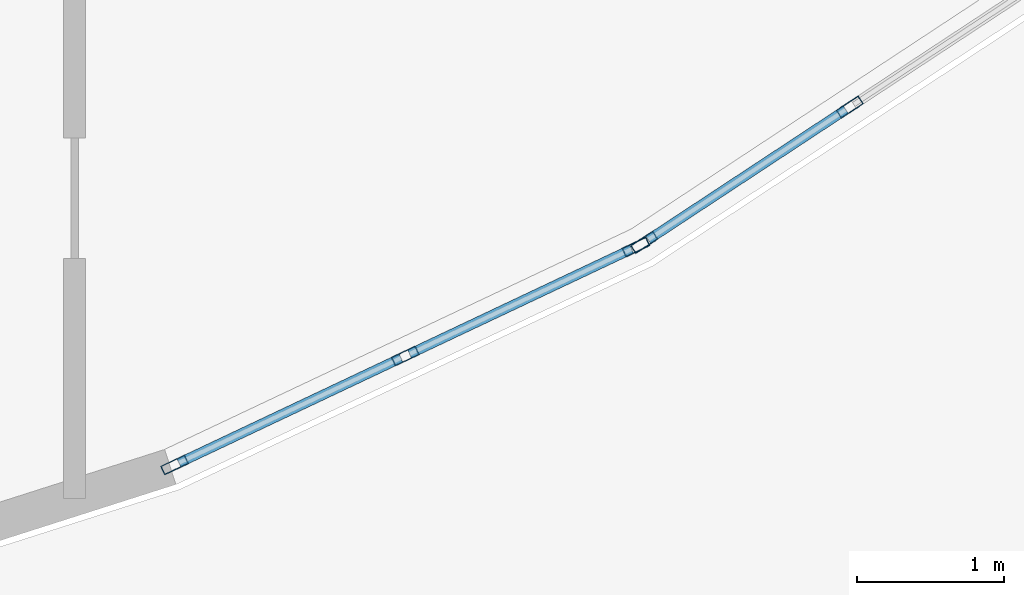
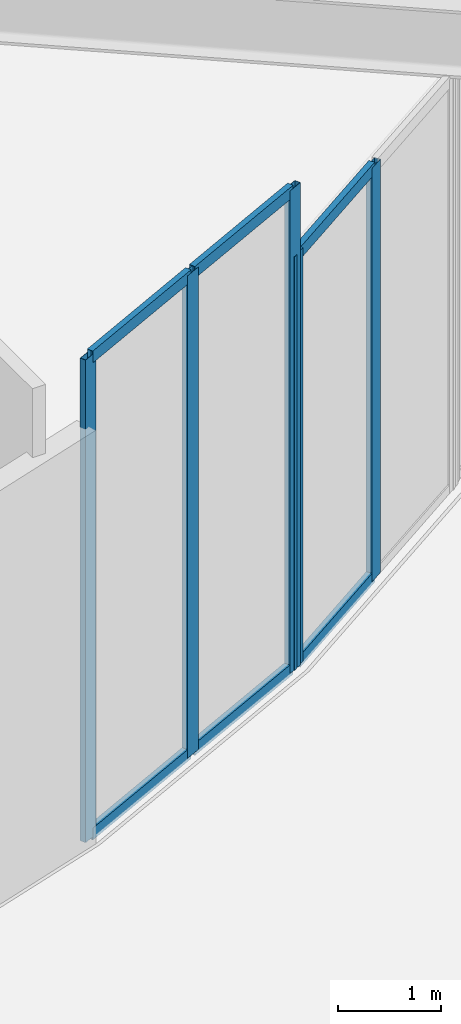
# One storey, part 12 of 46: 11 members, 2 elements without a shape of their own.
"""IFC4 building model written with IfcOpenShell, lengths in metres."""

from ifc_helpers import new_model, si_unit, direction, frame, origin, origin_2d, place, context, subcontext, project, spatial, hollow_rectangle, extrude, source, transform, mapped, material, layer, layer_set, material_profile, profile_set, type_object, element, aggregate, save


model = new_model("IFC4")

# Units and contexts
model_context = context("Model", 3, precision=1e-05, world=origin(), true_north=direction((0.0, 1.0)))
body_context = subcontext(model_context, "Body", "Model", "MODEL_VIEW")
ifc_project = project(units=[si_unit("LENGTHUNIT", "METRE"), si_unit("AREAUNIT", "SQUARE_METRE"), si_unit("VOLUMEUNIT", "CUBIC_METRE"), si_unit("PLANEANGLEUNIT", "RADIAN"), si_unit("MASSUNIT", "GRAM", prefix="KILO")], contexts=[model_context])

# Site, building, storey
site_placement = place(None, origin())
site = spatial("IfcSite", under=ifc_project, at=site_placement, CompositionType="ELEMENT")
building_placement = place(site_placement, origin())
building = spatial("IfcBuilding", under=site, at=building_placement, Name="Linh Dai School and Residence Tower", CompositionType="ELEMENT")
storey_placement = place(building_placement, origin())
storey = spatial("IfcBuildingStorey", under=building, at=storey_placement, Name="L00", CompositionType="ELEMENT", Elevation=0.0)

# Curtain wall, members
ifc_material_1 = material(Name="Aluminium Anodised Curtain Wall", Category="aluminium")
ifc_layer = layer(ifc_material_1, 0.179931640625)
ifc_layer_set = layer_set([ifc_layer], Name="Aluminium Anodised Curtain Wall")
curtain_wall_type = type_object("IfcCurtainWallType", Name="CW-SYS-1", PredefinedType="USERDEFINED", material=ifc_layer_set)
curtain_wall_1_placement = place(storey_placement, origin())
curtain_wall_1 = element("IfcCurtainWall", 1, at=curtain_wall_1_placement, inside=storey, type_object=curtain_wall_type, Name="L00 CW1 Curtain Wall 35", ObjectType="UNITISED CURTAIN WALL", PredefinedType="USERDEFINED")
ifc_material_2 = material(Name="Aluminium Alloy 6063-T6", Category="aluminium")
ifc_material_profile_1 = material_profile(ifc_material_2, hollow_rectangle(XDim=0.06494140625, YDim=0.179931640625, WallThickness=0.00390625, at=origin_2d()), Name="RHS 180x65x4")
ifc_profile_set_1 = profile_set([ifc_material_profile_1], Name="Aluminium Alloy 6063-T6")
member_type_1 = type_object("IfcMemberType", Name="CW-SYS-1-MUL", PredefinedType="MULLION", material=ifc_profile_set_1)
shared_shape_1 = source(origin(), body_context, "Body", "SweptSolid", [
    extrude(hollow_rectangle(XDim=0.06494140625, YDim=0.179931640625, WallThickness=0.00390625, at=origin_2d()), origin(), (0.0, 0.0, 1.0), 4.885009765625),
])
member_1_placement = place(storey_placement, frame((51.469970703125, 13.079833984375, 0.0), z_axis=(0.0, 0.0, 1.0), x_axis=(0.54987842375, -0.835244706116, 0.0)))
member_1 = element("IfcMember", 2, at=member_1_placement, type_object=member_type_1, Name="CW1 mullion 2", PredefinedType="MULLION", context=body_context, shape_type="MappedRepresentation", body=[
    mapped(shared_shape_1, transform((0.0, 0.0, 0.0), x_axis=(1.0, 0.0, 0.0), y_axis=(0.0, 1.0, 0.0), z_axis=(0.0, 0.0, 1.0), scale=1.0)),
])
member_2_placement = place(storey_placement, frame((50.072998046875, 12.16015625, 0.0), z_axis=(0.0, 0.0, 1.0), x_axis=(0.54987842375, -0.835244706116, 0.0)))
member_2 = element("IfcMember", 3, at=member_2_placement, type_object=member_type_1, Name="CW1 mullion 3", PredefinedType="MULLION", context=body_context, shape_type="MappedRepresentation", body=[
    mapped(shared_shape_1, transform((0.0, 0.0, 0.0), x_axis=(1.0, 0.0, 0.0), y_axis=(0.0, 1.0, 0.0), z_axis=(0.0, 0.0, 1.0), scale=1.0)),
])

curtain_wall_2_placement = place(storey_placement, origin())
curtain_wall_2 = element("IfcCurtainWall", 4, at=curtain_wall_2_placement, inside=storey, type_object=curtain_wall_type, Name="L00 CW1 Curtain Wall 34", ObjectType="UNITISED CURTAIN WALL", PredefinedType="USERDEFINED")
shared_shape_2 = source(origin(), body_context, "Body", "SweptSolid", [
    extrude(hollow_rectangle(XDim=0.06494140625, YDim=0.179931640625, WallThickness=0.00390625, at=origin_2d()), origin(), (0.0, 0.0, 1.0), 5.699951171875),
])
member_3_placement = place(storey_placement, frame((50.016357421875, 12.12841796875, 0.0), z_axis=(0.0, 0.0, 1.0), x_axis=(0.427107969356, -0.904200631781, 0.0)))
member_3 = element("IfcMember", 5, at=member_3_placement, type_object=member_type_1, Name="CW1 mullion 1", PredefinedType="MULLION", context=body_context, shape_type="MappedRepresentation", body=[
    mapped(shared_shape_2, transform((0.0, 0.0, 0.0), x_axis=(1.0, 0.0, 0.0), y_axis=(0.0, 1.0, 0.0), z_axis=(0.0, 0.0, 1.0), scale=1.0)),
])
member_4_placement = place(storey_placement, frame((48.447998046875, 11.387451171875, 0.0), z_axis=(0.0, 0.0, 1.0), x_axis=(0.427107969356, -0.904200631781, 0.0)))
member_4 = element("IfcMember", 6, at=member_4_placement, type_object=member_type_1, Name="CW1 mullion 2", PredefinedType="MULLION", context=body_context, shape_type="MappedRepresentation", body=[
    mapped(shared_shape_2, transform((0.0, 0.0, 0.0), x_axis=(1.0, 0.0, 0.0), y_axis=(0.0, 1.0, 0.0), z_axis=(0.0, 0.0, 1.0), scale=1.0)),
])
member_5_placement = place(storey_placement, frame((46.87939453125, 10.646728515625, 0.0), z_axis=(0.0, 0.0, 1.0), x_axis=(0.427107969356, -0.904200631781, 0.0)))
member_5 = element("IfcMember", 7, at=member_5_placement, type_object=member_type_1, Name="CW1 mullion 3", PredefinedType="MULLION", context=body_context, shape_type="MappedRepresentation", body=[
    mapped(shared_shape_2, transform((0.0, 0.0, 0.0), x_axis=(1.0, 0.0, 0.0), y_axis=(0.0, 1.0, 0.0), z_axis=(0.0, 0.0, 1.0), scale=1.0)),
])
ifc_material_profile_2 = material_profile(ifc_material_2, hollow_rectangle(XDim=0.06494140625, YDim=0.139892578125, WallThickness=0.00390625, at=origin_2d()), Name="RHS 140x65x4")
ifc_profile_set_2 = profile_set([ifc_material_profile_2], Name="Aluminium Alloy 6063-T6")
member_type_2 = type_object("IfcMemberType", Name="CW-SYS-1-TRN", PredefinedType="USERDEFINED", material=ifc_profile_set_2)
shared_shape_3 = source(origin(), body_context, "Body", "SweptSolid", [
    extrude(hollow_rectangle(XDim=0.06494140625, YDim=0.139892578125, WallThickness=0.00390625, at=origin_2d()), origin(), (0.0, 0.0, 1.0), 1.66943359375),
])
member_6_placement = place(storey_placement, frame((48.41845703125, 11.37353515625, 0.032470703125), z_axis=(-0.904178053543, -0.427155764904, 0.0), x_axis=(0.427155764904, -0.904178053543, 0.0)))
member_6 = element("IfcMember", 8, at=member_6_placement, type_object=member_type_2, Name="CW1 transom 2.1", ObjectType="TRANSOM", PredefinedType="USERDEFINED", context=body_context, shape_type="MappedRepresentation", body=[
    mapped(shared_shape_3, transform((0.0, 0.0, 0.0), x_axis=(1.0, 0.0, 0.0), y_axis=(0.0, 1.0, 0.0), z_axis=(0.0, 0.0, 1.0), scale=1.0)),
])
member_7_placement = place(storey_placement, frame((48.41845703125, 11.37353515625, 5.66748046875), z_axis=(-0.904178053543, -0.427155764904, 0.0), x_axis=(0.427155764904, -0.904178053543, 0.0)))
member_7 = element("IfcMember", 9, at=member_7_placement, type_object=member_type_2, Name="CW1 transom 2.2", ObjectType="TRANSOM", PredefinedType="USERDEFINED", context=body_context, shape_type="MappedRepresentation", body=[
    mapped(shared_shape_3, transform((0.0, 0.0, 0.0), x_axis=(1.0, 0.0, 0.0), y_axis=(0.0, 1.0, 0.0), z_axis=(0.0, 0.0, 1.0), scale=1.0)),
])
shared_shape_4 = source(origin(), body_context, "Body", "SweptSolid", [
    extrude(hollow_rectangle(XDim=0.06494140625, YDim=0.139892578125, WallThickness=0.00390625, at=origin_2d()), origin(), (0.0, 0.0, 1.0), 1.669677734375),
])
member_8_placement = place(storey_placement, frame((49.987060546875, 12.114501953125, 0.032470703125), z_axis=(-0.904204730798, -0.427099291504, 0.0), x_axis=(0.427099291504, -0.904204730798, 0.0)))
member_8 = element("IfcMember", 10, at=member_8_placement, type_object=member_type_2, Name="CW1 transom 1.1", ObjectType="TRANSOM", PredefinedType="USERDEFINED", context=body_context, shape_type="MappedRepresentation", body=[
    mapped(shared_shape_4, transform((0.0, 0.0, 0.0), x_axis=(1.0, 0.0, 0.0), y_axis=(0.0, 1.0, 0.0), z_axis=(0.0, 0.0, 1.0), scale=1.0)),
])
member_9_placement = place(storey_placement, frame((49.987060546875, 12.114501953125, 5.66748046875), z_axis=(-0.904204730798, -0.427099291504, 0.0), x_axis=(0.427099291504, -0.904204730798, 0.0)))
member_9 = element("IfcMember", 11, at=member_9_placement, type_object=member_type_2, Name="CW1 transom 1.2", ObjectType="TRANSOM", PredefinedType="USERDEFINED", context=body_context, shape_type="MappedRepresentation", body=[
    mapped(shared_shape_4, transform((0.0, 0.0, 0.0), x_axis=(1.0, 0.0, 0.0), y_axis=(0.0, 1.0, 0.0), z_axis=(0.0, 0.0, 1.0), scale=1.0)),
])
aggregate(curtain_wall_2, [member_3, member_4, member_5, member_8, member_9, member_6, member_7])

# Member
shared_shape_5 = source(origin(), body_context, "Body", "SweptSolid", [
    extrude(hollow_rectangle(XDim=0.06494140625, YDim=0.139892578125, WallThickness=0.00390625, at=origin_2d()), origin(), (0.0, 0.0, 1.0), 1.607666015625),
])
member_10_placement = place(storey_placement, frame((51.44287109375, 13.06201171875, 0.032470703125), z_axis=(-0.835237211423, -0.549889807739, 0.0), x_axis=(0.549889807739, -0.835237211423, 0.0)))
member_10 = element("IfcMember", 12, at=member_10_placement, type_object=member_type_2, Name="CW1 transom 2.1", ObjectType="TRANSOM", PredefinedType="USERDEFINED", context=body_context, shape_type="MappedRepresentation", body=[
    mapped(shared_shape_5, transform((0.0, 0.0, 0.0), x_axis=(1.0, 0.0, 0.0), y_axis=(0.0, 1.0, 0.0), z_axis=(0.0, 0.0, 1.0), scale=1.0)),
])

member_11_placement = place(storey_placement, frame((51.44287109375, 13.06201171875, 4.8525390625), z_axis=(-0.835237211423, -0.549889807739, 0.0), x_axis=(0.549889807739, -0.835237211423, 0.0)))
member_11 = element("IfcMember", 13, at=member_11_placement, type_object=member_type_2, Name="CW1 transom 2.2", ObjectType="TRANSOM", PredefinedType="USERDEFINED", context=body_context, shape_type="MappedRepresentation", body=[
    mapped(shared_shape_5, transform((0.0, 0.0, 0.0), x_axis=(1.0, 0.0, 0.0), y_axis=(0.0, 1.0, 0.0), z_axis=(0.0, 0.0, 1.0), scale=1.0)),
])

aggregate(curtain_wall_1, [member_1, member_2, member_10, member_11])

save(model, "model.ifc")
